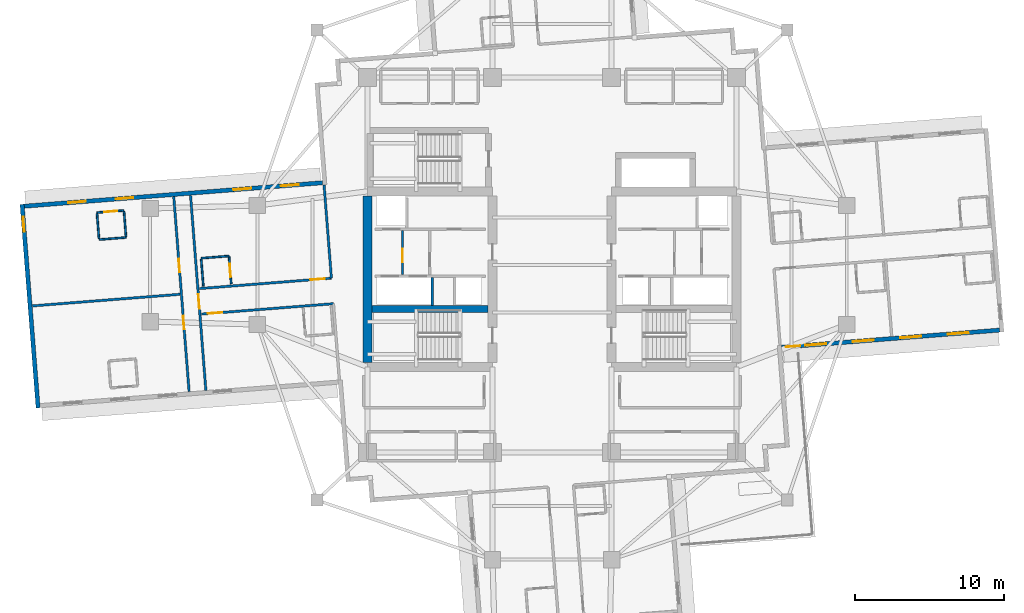
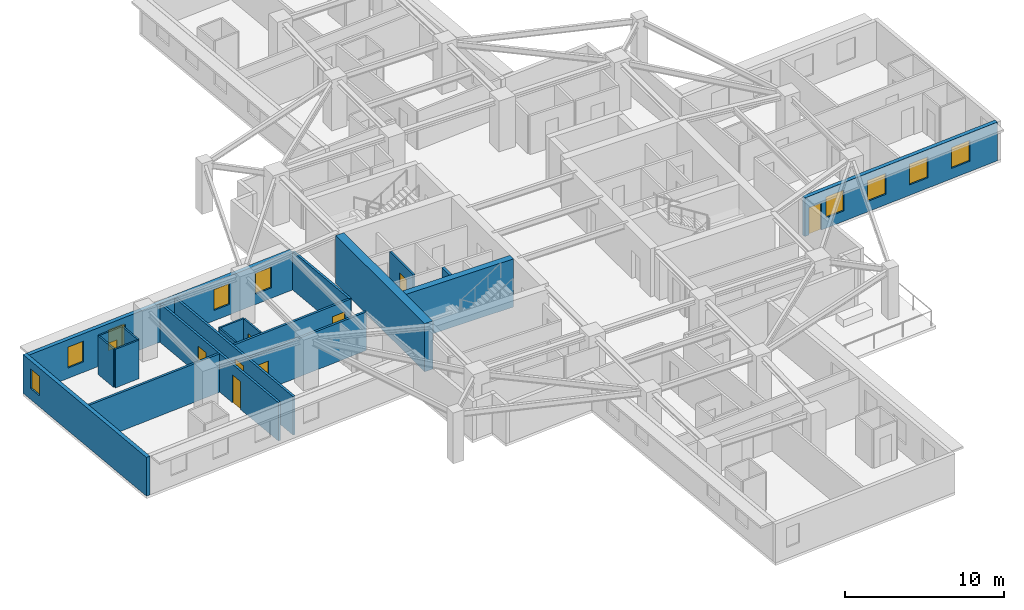
# One storey, part 5 of 14: 20 walls, 9 doors, 9 windows, 18 openings.
"""IFC4 building model written with IfcOpenShell, lengths in metres."""

from ifc_helpers import new_model, si_unit, direction, frame, frame_2d, origin, place, context, subcontext, project, spatial, rectangle, extrude, material, layer, layer_set, type_object, element, fill, save


model = new_model("IFC4")

# Units and contexts
model_context = context("Model", 3, precision=1e-05, world=origin(), true_north=direction((0.0, 1.0)))
body_context = subcontext(model_context, "Body", "Model", "MODEL_VIEW")
ifc_project = project(units=[si_unit("LENGTHUNIT", "METRE"), si_unit("AREAUNIT", "SQUARE_METRE"), si_unit("VOLUMEUNIT", "CUBIC_METRE"), si_unit("PLANEANGLEUNIT", "RADIAN"), si_unit("MASSUNIT", "GRAM", prefix="KILO")], contexts=[model_context])

# Site, building, storey
site_placement = place(None, origin())
site = spatial("IfcSite", under=ifc_project, at=site_placement, CompositionType="ELEMENT")
building_placement = place(site_placement, origin())
building = spatial("IfcBuilding", under=site, at=building_placement, Name="Qingluan Cross Belvedere", CompositionType="ELEMENT")
storey_placement = place(building_placement, frame((0.0, 0.0, 124.199951171875)))
storey = spatial("IfcBuildingStorey", under=building, at=storey_placement, Name="L31", CompositionType="ELEMENT", Elevation=124.199951171875)

# Walls
ifc_material_1 = material(Name="Concrete C50", Category="concrete")
ifc_layer_1 = layer(ifc_material_1, 0.449951171875, Name="CoreShearWall_450")
ifc_layer_set_1 = layer_set([ifc_layer_1], Name="Concrete C50")
wall_type_1 = type_object("IfcWallType", Name="CoreShearWall_450", PredefinedType="SHEAR", material=ifc_layer_set_1)
wall_1_placement = place(storey_placement, frame((-12.094970703125, -2.9599609375, 0.0), z_axis=(0.0, 0.0, 1.0), x_axis=(1.0, 0.0, 0.0)))
element("IfcWall", 1, at=wall_1_placement, inside=storey, type_object=wall_type_1, Name="Split core W shear wall L31-M", PredefinedType="SHEAR", context=body_context, shape_type="SweptSolid", body=[
    extrude(rectangle(XDim=7.7900390625, YDim=0.449951171875, at=frame_2d((3.89501953125, 0.0))), origin(), (0.0, 0.0, 1.0), 3.699951171875),
])
ifc_material_2 = material(Name="Concrete C60", Category="concrete")
ifc_layer_2 = layer(ifc_material_2, 0.60009765625, Name="CoreShearWall_600")
ifc_layer_set_2 = layer_set([ifc_layer_2], Name="Concrete C60")
wall_type_2 = type_object("IfcWallType", Name="CoreShearWall_600", PredefinedType="SHEAR", material=ifc_layer_set_2)
wall_2_placement = place(storey_placement, frame((-12.39990234375, -6.544921875, 0.0), z_axis=(0.0, 0.0, 1.0), x_axis=(0.0, 1.0, 0.0)))
element("IfcWall", 2, at=wall_2_placement, inside=storey, type_object=wall_type_2, Name="Split core W shear wall L31-W", PredefinedType="SHEAR", context=body_context, shape_type="SweptSolid", body=[
    extrude(rectangle(XDim=11.18994140625, YDim=0.60009765625, at=frame_2d((5.594970703125, 0.0))), origin(), (0.0, 0.0, 1.0), 3.699951171875),
])

# Wall, opening, door
ifc_material_3 = material(Name="Gypsum plasterboard on steel stud acoustic partition", Category="steel")
ifc_layer_3 = layer(ifc_material_3, 0.159912109375, Name="CorridorPartition_160")
ifc_layer_set_3 = layer_set([ifc_layer_3], Name="Gypsum plasterboard on steel stud acoustic partition")
wall_type_3 = type_object("IfcWallType", Name="CorridorPartition_160", PredefinedType="PARTITIONING", material=ifc_layer_set_3)
wall_3_placement = place(storey_placement, frame((-10.050048828125, -0.652099609375, 0.0), z_axis=(0.0, 0.0, 1.0), x_axis=(0.0, 1.0, 0.0)))
wall_3 = element("IfcWall", 3, at=wall_3_placement, inside=storey, type_object=wall_type_3, Name="Partition L31:wv", PredefinedType="PARTITIONING", context=body_context, shape_type="SweptSolid", body=[
    extrude(rectangle(XDim=2.962158203125, YDim=0.139892578125, at=frame_2d((1.48095703125, 0.0))), origin(), (0.0, 0.0, 1.0), 2.9599609375),
])
opening_1_placement = place(wall_3_placement, frame((0.85009765625, 0.0, 0.0)))
opening_1 = element("IfcOpeningElement", 4, at=opening_1_placement, cuts=wall_3, Name="Opening FD-B10", PredefinedType="OPENING", context=body_context, shape_type="SweptSolid", body=[
    extrude(rectangle(XDim=0.8798828125, YDim=2.10009765625, at=frame_2d((0.43994140625, 1.050048828125))), frame((0.0, 0.079833984375, 0.0), z_axis=(0.0, -1.0, 0.0), x_axis=(1.0, 0.0, 0.0)), (0.0, 0.0, 1.0), 0.159912109375),
])
ifc_material_4 = material(Name="Steel Class B service fire door", Category="steel")
door_type_1 = type_object("IfcDoorType", Name="RiserServiceFireDoor_FDB", OperationType="NOTDEFINED", PredefinedType="DOOR", material=ifc_material_4)
door_1_placement = place(opening_1_placement, origin())
door_1 = element("IfcDoor", 5, at=door_1_placement, inside=storey, type_object=door_type_1, Name="Service closet inner door L31", OperationType="SINGLE_SWING_RIGHT", OverallHeight=2.10009765625, OverallWidth=0.8798828125, PredefinedType="DOOR", context=body_context, shape_type="SweptSolid", body=[
    extrude(rectangle(XDim=0.8798828125, YDim=2.10009765625, at=frame_2d((0.43994140625, 1.050048828125))), frame((0.0, 0.02490234375, 0.0), z_axis=(0.0, -1.0, 0.0), x_axis=(1.0, 0.0, 0.0)), (0.0, 0.0, 1.0), 0.050048828125),
])
fill(opening_1, door_1)

wall_4_placement = place(storey_placement, frame((-14.826171875, -0.885986328125, 0.0), z_axis=(0.0, 0.0, 1.0), x_axis=(-0.996917714418, -0.078454258523, 0.0)))
wall_4 = element("IfcWall", 6, at=wall_4_placement, inside=storey, type_object=wall_type_3, Name="Partition L31:W:c0", PredefinedType="PARTITIONING", context=body_context, shape_type="SweptSolid", body=[
    extrude(rectangle(XDim=8.89990234375, YDim=0.159912109375, at=frame_2d((4.449951171875, 0.0))), origin(), (0.0, 0.0, 1.0), 2.9599609375),
])
opening_2_placement = place(wall_4_placement, frame((0.449951171875, 0.0, 0.0)))
opening_2 = element("IfcOpeningElement", 7, at=opening_2_placement, cuts=wall_4, Name="Opening GD-10", PredefinedType="OPENING", context=body_context, shape_type="SweptSolid", body=[
    extrude(rectangle(XDim=0.9599609375, YDim=2.14990234375, at=frame_2d((0.47998046875, 1.074951171875))), frame((0.0, 0.08984375, 0.0), z_axis=(0.0, -1.0, 0.0), x_axis=(1.0, 0.0, 0.0)), (0.0, 0.0, 1.0), 0.179931640625),
])
ifc_material_5 = material(Name="Timber oak fire-rated acoustic guestroom door", Category="wood")
door_type_2 = type_object("IfcDoorType", Name="GuestEntryDoor_FD60", OperationType="NOTDEFINED", PredefinedType="DOOR", material=ifc_material_5)
door_2_placement = place(opening_2_placement, origin())
door_2 = element("IfcDoor", 8, at=door_2_placement, inside=storey, type_object=door_type_2, Name="Guest entry fire door 3105", OperationType="SINGLE_SWING_RIGHT", OverallHeight=2.14990234375, OverallWidth=0.9599609375, PredefinedType="DOOR", context=body_context, shape_type="SweptSolid", body=[
    extrude(rectangle(XDim=0.9599609375, YDim=2.14990234375, at=frame_2d((0.47998046875, 1.074951171875))), frame((0.0, 0.02490234375, 0.0), z_axis=(0.0, -1.0, 0.0), x_axis=(1.0, 0.0, 0.0)), (0.0, 0.0, 1.0), 0.050048828125),
])
fill(opening_2, door_2)

# Wall
wall_5_placement = place(storey_placement, frame((-14.826171875, -0.885986328125, 0.0), z_axis=(0.0, 0.0, 1.0), x_axis=(-0.078455896853, 0.996917585485, 0.0)))
element("IfcWall", 9, at=wall_5_placement, inside=storey, type_object=wall_type_3, Name="Partition L31:W:s0", PredefinedType="PARTITIONING", context=body_context, shape_type="SweptSolid", body=[
    extrude(rectangle(XDim=6.2919921875, YDim=0.159912109375, at=frame_2d((3.14599609375, 0.0))), origin(), (0.0, 0.0, 1.0), 2.9599609375),
])

# Wall, opening, door
wall_6_placement = place(storey_placement, frame((-14.691162109375, -2.6005859375, 0.0), z_axis=(0.0, 0.0, 1.0), x_axis=(-0.99691556856, -0.07848152115, 0.0)))
wall_6 = element("IfcWall", 10, at=wall_6_placement, inside=storey, type_object=wall_type_3, Name="Partition L31:W:c1", PredefinedType="PARTITIONING", context=body_context, shape_type="SweptSolid", body=[
    extrude(rectangle(XDim=8.89990234375, YDim=0.159912109375, at=frame_2d((4.449951171875, 0.0))), origin(), (0.0, 0.0, 1.0), 2.9599609375),
])
opening_3_placement = place(wall_6_placement, frame((7.5, 0.0, 0.0)))
opening_3 = element("IfcOpeningElement", 11, at=opening_3_placement, cuts=wall_6, Name="Opening GD-10", PredefinedType="OPENING", context=body_context, shape_type="SweptSolid", body=[
    extrude(rectangle(XDim=0.9599609375, YDim=2.14990234375, at=frame_2d((0.47998046875, 1.074951171875))), frame((0.0, 0.08984375, 0.0), z_axis=(0.0, -1.0, 0.0), x_axis=(1.0, 0.0, 0.0)), (0.0, 0.0, 1.0), 0.179931640625),
])
door_3_placement = place(opening_3_placement, origin())
door_3 = element("IfcDoor", 12, at=door_3_placement, inside=storey, type_object=door_type_2, Name="Guest entry fire door 3106", OperationType="SINGLE_SWING_RIGHT", OverallHeight=2.14990234375, OverallWidth=0.9599609375, PredefinedType="DOOR", context=body_context, shape_type="SweptSolid", body=[
    extrude(rectangle(XDim=0.9599609375, YDim=2.14990234375, at=frame_2d((0.47998046875, 1.074951171875))), frame((0.0, 0.02490234375, 0.0), z_axis=(0.0, -1.0, 0.0), x_axis=(1.0, 0.0, 0.0)), (0.0, 0.0, 1.0), 0.050048828125),
])
fill(opening_3, door_3)

wall_7_placement = place(storey_placement, frame((-23.2607421875, -8.423095703125, 0.0), z_axis=(0.0, 0.0, 1.0), x_axis=(-0.078457655694, 0.996917447065, 0.0)))
wall_7 = element("IfcWall", 13, at=wall_7_placement, inside=storey, type_object=wall_type_3, Name="Partition L31:Wcap:in", PredefinedType="PARTITIONING", context=body_context, shape_type="SweptSolid", body=[
    extrude(rectangle(XDim=13.14404296875, YDim=0.159912109375, at=frame_2d((6.572021484375, 0.0))), origin(), (0.0, 0.0, 1.0), 2.9599609375),
])
opening_4_placement = place(wall_7_placement, frame((5.511962890625, 0.0, 0.0)))
opening_4 = element("IfcOpeningElement", 14, at=opening_4_placement, cuts=wall_7, Name="Opening GD-10", PredefinedType="OPENING", context=body_context, shape_type="SweptSolid", body=[
    extrude(rectangle(XDim=0.9599609375, YDim=2.14990234375, at=frame_2d((0.47998046875, 1.074951171875))), frame((0.0, 0.08984375, 0.0), z_axis=(0.0, -1.0, 0.0), x_axis=(1.0, 0.0, 0.0)), (0.0, 0.0, 1.0), 0.179931640625),
])
door_4_placement = place(opening_4_placement, origin())
door_4 = element("IfcDoor", 15, at=door_4_placement, inside=storey, type_object=door_type_2, Name="Corner gallery fire door L31W", OperationType="SINGLE_SWING_LEFT", OverallHeight=2.14990234375, OverallWidth=0.9599609375, PredefinedType="DOOR", context=body_context, shape_type="SweptSolid", body=[
    extrude(rectangle(XDim=0.9599609375, YDim=2.14990234375, at=frame_2d((0.47998046875, 1.074951171875))), frame((0.0, 0.02490234375, 0.0), z_axis=(0.0, -1.0, 0.0), x_axis=(1.0, 0.0, 0.0)), (0.0, 0.0, 1.0), 0.050048828125),
])
fill(opening_4, door_4)

# Wall, openings, doors
wall_8_placement = place(storey_placement, frame((-24.38720703125, -8.51171875, 0.0), z_axis=(0.0, 0.0, 1.0), x_axis=(-0.078476115573, 0.996915994096, 0.0)))
wall_8 = element("IfcWall", 16, at=wall_8_placement, inside=storey, type_object=wall_type_3, Name="Partition L31:Wcap:vw", PredefinedType="PARTITIONING", context=body_context, shape_type="SweptSolid", body=[
    extrude(rectangle(XDim=13.14404296875, YDim=0.159912109375, at=frame_2d((6.572021484375, 0.0))), origin(), (0.0, 0.0, 1.0), 2.9599609375),
])
opening_5_placement = place(wall_8_placement, frame((4.201904296875, 0.0, 0.0)))
opening_5 = element("IfcOpeningElement", 17, at=opening_5_placement, cuts=wall_8, Name="Opening GD-09", PredefinedType="OPENING", context=body_context, shape_type="SweptSolid", body=[
    extrude(rectangle(XDim=0.89990234375, YDim=2.14990234375, at=frame_2d((0.449951171875, 1.074951171875))), frame((0.0, 0.08984375, 0.0), z_axis=(0.0, -1.0, 0.0), x_axis=(1.0, 0.0, 0.0)), (0.0, 0.0, 1.0), 0.179931640625),
])
opening_6_placement = place(wall_8_placement, frame((8.0419921875, 0.0, 0.0)))
opening_6 = element("IfcOpeningElement", 18, at=opening_6_placement, cuts=wall_8, Name="Opening GD-09", PredefinedType="OPENING", context=body_context, shape_type="SweptSolid", body=[
    extrude(rectangle(XDim=0.89990234375, YDim=2.14990234375, at=frame_2d((0.449951171875, 1.074951171875))), frame((0.0, 0.08984375, 0.0), z_axis=(0.0, -1.0, 0.0), x_axis=(1.0, 0.0, 0.0)), (0.0, 0.0, 1.0), 0.179931640625),
])
ifc_material_6 = material(Name="Timber oak fire-rated corner room door", Category="wood")
door_type_3 = type_object("IfcDoorType", Name="CornerRoomDoor_FD60", OperationType="NOTDEFINED", PredefinedType="DOOR", material=ifc_material_6)
door_5_placement = place(opening_5_placement, origin())
door_5 = element("IfcDoor", 19, at=door_5_placement, inside=storey, type_object=door_type_3, Name="Deluxe corner room door L31W1", OperationType="SINGLE_SWING_RIGHT", OverallHeight=2.14990234375, OverallWidth=0.89990234375, PredefinedType="DOOR", context=body_context, shape_type="SweptSolid", body=[
    extrude(rectangle(XDim=0.89990234375, YDim=2.14990234375, at=frame_2d((0.449951171875, 1.074951171875))), frame((0.0, 0.02490234375, 0.0), z_axis=(0.0, -1.0, 0.0), x_axis=(1.0, 0.0, 0.0)), (0.0, 0.0, 1.0), 0.050048828125),
])
fill(opening_5, door_5)
door_6_placement = place(opening_6_placement, origin())
door_6 = element("IfcDoor", 20, at=door_6_placement, inside=storey, type_object=door_type_3, Name="Deluxe corner room door L31W2", OperationType="SINGLE_SWING_LEFT", OverallHeight=2.14990234375, OverallWidth=0.89990234375, PredefinedType="DOOR", context=body_context, shape_type="SweptSolid", body=[
    extrude(rectangle(XDim=0.89990234375, YDim=2.14990234375, at=frame_2d((0.449951171875, 1.074951171875))), frame((0.0, 0.02490234375, 0.0), z_axis=(0.0, -1.0, 0.0), x_axis=(1.0, 0.0, 0.0)), (0.0, 0.0, 1.0), 0.050048828125),
])
fill(opening_6, door_6)

# Wall
wall_9_placement = place(storey_placement, frame((-24.99267578125, -1.967041015625, 0.0), z_axis=(0.0, 0.0, 1.0), x_axis=(-0.996918304994, -0.078446753713, 0.0)))
element("IfcWall", 21, at=wall_9_placement, inside=storey, type_object=wall_type_3, Name="Partition L31:Wcap:mid", PredefinedType="PARTITIONING", context=body_context, shape_type="SweptSolid", body=[
    extrude(rectangle(XDim=9.962158203125, YDim=0.159912109375, at=frame_2d((4.98095703125, 0.0))), origin(), (0.0, 0.0, 1.0), 2.9599609375),
])

# Wall, opening, door
ifc_material_7 = material(Name="Moisture-resistant gypsum board lining")
ifc_layer_4 = layer(ifc_material_7, 0.1201171875, Name="EnsuiteWetPartition_120")
ifc_layer_set_4 = layer_set([ifc_layer_4], Name="Moisture-resistant gypsum board lining")
wall_type_4 = type_object("IfcWallType", Name="EnsuiteWetPartition_120", PredefinedType="PARTITIONING", material=ifc_layer_set_4)
wall_10_placement = place(storey_placement, frame((-21.556396484375, -1.275146484375, 0.0), z_axis=(0.0, 0.0, 1.0), x_axis=(-0.0784709492, 0.996916400774, 0.0)))
wall_10 = element("IfcWall", 22, at=wall_10_placement, inside=storey, type_object=wall_type_4, Name="Partition L31:W:bs0_0", PredefinedType="PARTITIONING", context=body_context, shape_type="SweptSolid", body=[
    extrude(rectangle(XDim=1.820068359375, YDim=0.1201171875, at=frame_2d((0.91015625, 0.0))), origin(), (0.0, 0.0, 1.0), 2.9599609375),
])
opening_7_placement = place(wall_10_placement, frame((0.469970703125, 0.0, 0.0)))
opening_7 = element("IfcOpeningElement", 23, at=opening_7_placement, cuts=wall_10, Name="Opening BD-09", PredefinedType="OPENING", context=body_context, shape_type="SweptSolid", body=[
    extrude(rectangle(XDim=0.8798828125, YDim=2.10009765625, at=frame_2d((0.43994140625, 1.050048828125))), frame((0.0, 0.070068359375, 0.0), z_axis=(0.0, -1.0, 0.0), x_axis=(1.0, 0.0, 0.0)), (0.0, 0.0, 1.0), 0.14013671875),
])
ifc_material_8 = material(Name="Moisture-sealed timber en-suite door", Category="wood")
door_type_4 = type_object("IfcDoorType", Name="BathroomDoor_880", OperationType="NOTDEFINED", PredefinedType="DOOR", material=ifc_material_8)
door_7_placement = place(opening_7_placement, origin())
door_7 = element("IfcDoor", 24, at=door_7_placement, inside=storey, type_object=door_type_4, Name="Bathroom door 3105", OperationType="SINGLE_SWING_LEFT", OverallHeight=2.10009765625, OverallWidth=0.8798828125, PredefinedType="DOOR", context=body_context, shape_type="SweptSolid", body=[
    extrude(rectangle(XDim=0.8798828125, YDim=2.10009765625, at=frame_2d((0.43994140625, 1.050048828125))), frame((0.0, 0.02490234375, 0.0), z_axis=(0.0, -1.0, 0.0), x_axis=(1.0, 0.0, 0.0)), (0.0, 0.0, 1.0), 0.050048828125),
])
fill(opening_7, door_7)

# Walls
wall_11_placement = place(storey_placement, frame((-23.4306640625, -1.422607421875, 0.0), z_axis=(0.0, 0.0, 1.0), x_axis=(-0.078481444107, 0.996915574626, 0.0)))
element("IfcWall", 25, at=wall_11_placement, inside=storey, type_object=wall_type_4, Name="Partition L31:W:bw0_0", PredefinedType="PARTITIONING", context=body_context, shape_type="SweptSolid", body=[
    extrude(rectangle(XDim=1.81982421875, YDim=0.1201171875, at=frame_2d((0.909912109375, 0.0))), origin(), (0.0, 0.0, 1.0), 2.9599609375),
])
wall_12_placement = place(storey_placement, frame((-21.704345703125, 0.60400390625, 0.0), z_axis=(0.0, 0.0, 1.0), x_axis=(-0.996919293781, -0.07843418698, 0.0)))
element("IfcWall", 26, at=wall_12_placement, inside=storey, type_object=wall_type_4, Name="Partition L31:W:bn0_0", PredefinedType="PARTITIONING", context=body_context, shape_type="SweptSolid", body=[
    extrude(rectangle(XDim=1.880126953125, YDim=0.1201171875, at=frame_2d((0.93994140625, 0.0))), origin(), (0.0, 0.0, 1.0), 2.9599609375),
])
wall_13_placement = place(storey_placement, frame((-28.628173828125, 1.909912109375, 0.0), z_axis=(0.0, 0.0, 1.0), x_axis=(-0.078420762289, 0.996920349899, 0.0)))
element("IfcWall", 27, at=wall_13_placement, inside=storey, type_object=wall_type_4, Name="Partition L31:Wcap:b2a", PredefinedType="PARTITIONING", context=body_context, shape_type="SweptSolid", body=[
    extrude(rectangle(XDim=1.69970703125, YDim=0.1201171875, at=frame_2d((0.849853515625, 0.0))), origin(), (0.0, 0.0, 1.0), 2.9599609375),
])
wall_14_placement = place(storey_placement, frame((-30.4423828125, 1.76708984375, 0.0), z_axis=(0.0, 0.0, 1.0), x_axis=(-0.078563504361, 0.996909111094, 0.0)))
element("IfcWall", 28, at=wall_14_placement, inside=storey, type_object=wall_type_4, Name="Partition L31:Wcap:b2b", PredefinedType="PARTITIONING", context=body_context, shape_type="SweptSolid", body=[
    extrude(rectangle(XDim=1.699951171875, YDim=0.1201171875, at=frame_2d((0.85009765625, 0.0))), origin(), (0.0, 0.0, 1.0), 2.9599609375),
])
wall_15_placement = place(storey_placement, frame((-28.623291015625, 1.849853515625, 0.0), z_axis=(0.0, 0.0, 1.0), x_axis=(-0.996916400774, -0.0784709492, 0.0)))
element("IfcWall", 29, at=wall_15_placement, inside=storey, type_object=wall_type_4, Name="Partition L31:Wcap:b2s", PredefinedType="PARTITIONING", context=body_context, shape_type="SweptSolid", body=[
    extrude(rectangle(XDim=1.820068359375, YDim=0.1201171875, at=frame_2d((0.91015625, 0.0))), origin(), (0.0, 0.0, 1.0), 2.9599609375),
])

# Wall, opening, door
wall_16_placement = place(storey_placement, frame((-28.76611328125, 3.664306640625, 0.0), z_axis=(0.0, 0.0, 1.0), x_axis=(-0.996916400774, -0.0784709492, 0.0)))
wall_16 = element("IfcWall", 30, at=wall_16_placement, inside=storey, type_object=wall_type_4, Name="Partition L31:Wcap:b2n", PredefinedType="PARTITIONING", context=body_context, shape_type="SweptSolid", body=[
    extrude(rectangle(XDim=1.820068359375, YDim=0.1201171875, at=frame_2d((0.91015625, 0.0))), origin(), (0.0, 0.0, 1.0), 2.9599609375),
])
opening_8_placement = place(wall_16_placement, frame((0.449951171875, 0.0, 0.0)))
opening_8 = element("IfcOpeningElement", 31, at=opening_8_placement, cuts=wall_16, Name="Opening BD-09", PredefinedType="OPENING", context=body_context, shape_type="SweptSolid", body=[
    extrude(rectangle(XDim=0.8798828125, YDim=2.10009765625, at=frame_2d((0.43994140625, 1.050048828125))), frame((0.0, 0.070068359375, 0.0), z_axis=(0.0, -1.0, 0.0), x_axis=(1.0, 0.0, 0.0)), (0.0, 0.0, 1.0), 0.14013671875),
])
door_8_placement = place(opening_8_placement, origin())
door_8 = element("IfcDoor", 32, at=door_8_placement, inside=storey, type_object=door_type_4, Name="En-suite bathroom door L31W2", OperationType="SINGLE_SWING_RIGHT", OverallHeight=2.10009765625, OverallWidth=0.8798828125, PredefinedType="DOOR", context=body_context, shape_type="SweptSolid", body=[
    extrude(rectangle(XDim=0.8798828125, YDim=2.10009765625, at=frame_2d((0.43994140625, 1.050048828125))), frame((0.0, 0.02490234375, 0.0), z_axis=(0.0, -1.0, 0.0), x_axis=(1.0, 0.0, 0.0)), (0.0, 0.0, 1.0), 0.050048828125),
])
fill(opening_8, door_8)

# Wall, openings, windows, door
ifc_material_9 = material(Name="Precast concrete C45", Category="concrete")
ifc_layer_5 = layer(ifc_material_9, 0.280029296875, Name="PrecastFacadeWall_280")
ifc_layer_set_5 = layer_set([ifc_layer_5], Name="Precast concrete C45")
wall_type_5 = type_object("IfcWallType", Name="PrecastFacadeWall_280", PredefinedType="STANDARD", material=ifc_layer_set_5)
wall_17_placement = place(storey_placement, frame((15.421142578125, -5.527099609375, 0.0), z_axis=(0.0, 0.0, 1.0), x_axis=(0.996917526837, 0.078456642068, 0.0)))
wall_17 = element("IfcWall", 33, at=wall_17_placement, inside=storey, type_object=wall_type_5, Name="Facade wall L31-EA", PredefinedType="STANDARD", context=body_context, shape_type="SweptSolid", body=[
    extrude(rectangle(XDim=14.7001953125, YDim=0.280029296875, at=frame_2d((7.35009765625, 0.0))), origin(), (0.0, 0.0, 1.0), 2.969970703125),
])
opening_9_placement = place(wall_17_placement, frame((1.60009765625, 0.0, 0.800048828125)))
opening_9 = element("IfcOpeningElement", 34, at=opening_9_placement, cuts=wall_17, Name="Opening W-01", PredefinedType="OPENING", context=body_context, shape_type="SweptSolid", body=[
    extrude(rectangle(XDim=1.39990234375, YDim=1.60009765625, at=frame_2d((0.699951171875, 0.800048828125))), frame((0.0, 0.14990234375, 0.0), z_axis=(0.0, -1.0, 0.0), x_axis=(1.0, 0.0, 0.0)), (0.0, 0.0, 1.0), 0.300048828125),
])
opening_10_placement = place(wall_17_placement, frame((4.800048828125, 0.0, 0.800048828125)))
opening_10 = element("IfcOpeningElement", 35, at=opening_10_placement, cuts=wall_17, Name="Opening W-01", PredefinedType="OPENING", context=body_context, shape_type="SweptSolid", body=[
    extrude(rectangle(XDim=1.39990234375, YDim=1.60009765625, at=frame_2d((0.699951171875, 0.800048828125))), frame((0.0, 0.14990234375, 0.0), z_axis=(0.0, -1.0, 0.0), x_axis=(1.0, 0.0, 0.0)), (0.0, 0.0, 1.0), 0.300048828125),
])
opening_11_placement = place(wall_17_placement, frame((8.0, 0.0, 0.800048828125)))
opening_11 = element("IfcOpeningElement", 36, at=opening_11_placement, cuts=wall_17, Name="Opening W-01", PredefinedType="OPENING", context=body_context, shape_type="SweptSolid", body=[
    extrude(rectangle(XDim=1.39990234375, YDim=1.60009765625, at=frame_2d((0.699951171875, 0.800048828125))), frame((0.0, 0.14990234375, 0.0), z_axis=(0.0, -1.0, 0.0), x_axis=(1.0, 0.0, 0.0)), (0.0, 0.0, 1.0), 0.300048828125),
])
opening_12_placement = place(wall_17_placement, frame((11.199951171875, 0.0, 0.800048828125)))
opening_12 = element("IfcOpeningElement", 37, at=opening_12_placement, cuts=wall_17, Name="Opening W-01", PredefinedType="OPENING", context=body_context, shape_type="SweptSolid", body=[
    extrude(rectangle(XDim=1.39990234375, YDim=1.60009765625, at=frame_2d((0.699951171875, 0.800048828125))), frame((0.0, 0.14990234375, 0.0), z_axis=(0.0, -1.0, 0.0), x_axis=(1.0, 0.0, 0.0)), (0.0, 0.0, 1.0), 0.300048828125),
])
opening_13_placement = place(wall_17_placement, frame((0.300048828125, 0.0, 0.0)))
opening_13 = element("IfcOpeningElement", 38, at=opening_13_placement, cuts=wall_17, Name="Opening WD-10", PredefinedType="OPENING", context=body_context, shape_type="SweptSolid", body=[
    extrude(rectangle(XDim=0.9599609375, YDim=2.10009765625, at=frame_2d((0.47998046875, 1.050048828125))), frame((0.0, 0.14990234375, 0.0), z_axis=(0.0, -1.0, 0.0), x_axis=(1.0, 0.0, 0.0)), (0.0, 0.0, 1.0), 0.300048828125),
])
ifc_material_10 = material(Name="Thermally broken triple Low-E glass in aluminium frame", Category="aluminium")
window_type_1 = type_object("IfcWindowType", Name="TriRibbonWin_1400x1600", PartitioningType="SINGLE_PANEL", PredefinedType="WINDOW", material=ifc_material_10)
window_1_placement = place(opening_9_placement, origin())
window_1 = element("IfcWindow", 39, at=window_1_placement, inside=storey, type_object=window_type_1, Name="Ribbon window L31-EA-1", OverallHeight=1.60009765625, OverallWidth=1.39990234375, PartitioningType="SINGLE_PANEL", PredefinedType="WINDOW", context=body_context, shape_type="SweptSolid", body=[
    extrude(rectangle(XDim=1.39990234375, YDim=1.60009765625, at=frame_2d((0.699951171875, 0.800048828125))), frame((0.0, 0.030029296875, 0.0), z_axis=(0.0, -1.0, 0.0), x_axis=(1.0, 0.0, 0.0)), (0.0, 0.0, 1.0), 0.06005859375),
])
fill(opening_9, window_1)
window_2_placement = place(opening_10_placement, origin())
window_2 = element("IfcWindow", 40, at=window_2_placement, inside=storey, type_object=window_type_1, Name="Ribbon window L31-EA-2", OverallHeight=1.60009765625, OverallWidth=1.39990234375, PartitioningType="SINGLE_PANEL", PredefinedType="WINDOW", context=body_context, shape_type="SweptSolid", body=[
    extrude(rectangle(XDim=1.39990234375, YDim=1.60009765625, at=frame_2d((0.699951171875, 0.800048828125))), frame((0.0, 0.030029296875, 0.0), z_axis=(0.0, -1.0, 0.0), x_axis=(1.0, 0.0, 0.0)), (0.0, 0.0, 1.0), 0.06005859375),
])
fill(opening_10, window_2)
window_3_placement = place(opening_11_placement, origin())
window_3 = element("IfcWindow", 41, at=window_3_placement, inside=storey, type_object=window_type_1, Name="Ribbon window L31-EA-3", OverallHeight=1.60009765625, OverallWidth=1.39990234375, PartitioningType="SINGLE_PANEL", PredefinedType="WINDOW", context=body_context, shape_type="SweptSolid", body=[
    extrude(rectangle(XDim=1.39990234375, YDim=1.60009765625, at=frame_2d((0.699951171875, 0.800048828125))), frame((0.0, 0.030029296875, 0.0), z_axis=(0.0, -1.0, 0.0), x_axis=(1.0, 0.0, 0.0)), (0.0, 0.0, 1.0), 0.06005859375),
])
fill(opening_11, window_3)
window_4_placement = place(opening_12_placement, origin())
window_4 = element("IfcWindow", 42, at=window_4_placement, inside=storey, type_object=window_type_1, Name="Ribbon window L31-EA-4", OverallHeight=1.60009765625, OverallWidth=1.39990234375, PartitioningType="SINGLE_PANEL", PredefinedType="WINDOW", context=body_context, shape_type="SweptSolid", body=[
    extrude(rectangle(XDim=1.39990234375, YDim=1.60009765625, at=frame_2d((0.699951171875, 0.800048828125))), frame((0.0, 0.030029296875, 0.0), z_axis=(0.0, -1.0, 0.0), x_axis=(1.0, 0.0, 0.0)), (0.0, 0.0, 1.0), 0.06005859375),
])
fill(opening_12, window_4)
ifc_material_11 = material(Name="Thermally broken aluminium and Low-E glass", Category="aluminium")
door_type_5 = type_object("IfcDoorType", Name="WinterGardenDoor_096", OperationType="NOTDEFINED", PredefinedType="DOOR", material=ifc_material_11)
door_9_placement = place(opening_13_placement, origin())
door_9 = element("IfcDoor", 43, at=door_9_placement, inside=storey, type_object=door_type_5, Name="Outdoor terrace access door L31-spi", OperationType="SINGLE_SWING_LEFT", OverallHeight=2.10009765625, OverallWidth=0.9599609375, PredefinedType="DOOR", context=body_context, shape_type="SweptSolid", body=[
    extrude(rectangle(XDim=0.9599609375, YDim=2.10009765625, at=frame_2d((0.47998046875, 1.050048828125))), frame((0.0, 0.02490234375, 0.0), z_axis=(0.0, -1.0, 0.0), x_axis=(1.0, 0.0, 0.0)), (0.0, 0.0, 1.0), 0.050048828125),
])
fill(opening_13, door_9)

# Wall, openings, windows
wall_18_placement = place(storey_placement, frame((-15.421142578125, 5.527099609375, 0.0), z_axis=(0.0, 0.0, 1.0), x_axis=(-0.996917828963, -0.078452802979, 0.0)))
wall_18 = element("IfcWall", 44, at=wall_18_placement, inside=storey, type_object=wall_type_5, Name="Facade wall L31-WA", PredefinedType="STANDARD", context=body_context, shape_type="SweptSolid", body=[
    extrude(rectangle(XDim=20.10009765625, YDim=0.280029296875, at=frame_2d((10.050048828125, 0.0))), origin(), (0.0, 0.0, 1.0), 2.969970703125),
])
opening_14_placement = place(wall_18_placement, frame((1.60009765625, 0.0, 0.800048828125)))
opening_14 = element("IfcOpeningElement", 45, at=opening_14_placement, cuts=wall_18, Name="Opening W-02", PredefinedType="OPENING", context=body_context, shape_type="SweptSolid", body=[
    extrude(rectangle(XDim=1.199951171875, YDim=1.60009765625, at=frame_2d((0.60009765625, 0.800048828125))), frame((0.0, 0.14990234375, 0.0), z_axis=(0.0, -1.0, 0.0), x_axis=(1.0, 0.0, 0.0)), (0.0, 0.0, 1.0), 0.300048828125),
])
opening_15_placement = place(wall_18_placement, frame((4.800048828125, 0.0, 0.800048828125)))
opening_15 = element("IfcOpeningElement", 46, at=opening_15_placement, cuts=wall_18, Name="Opening W-02", PredefinedType="OPENING", context=body_context, shape_type="SweptSolid", body=[
    extrude(rectangle(XDim=1.199951171875, YDim=1.60009765625, at=frame_2d((0.60009765625, 0.800048828125))), frame((0.0, 0.14990234375, 0.0), z_axis=(0.0, -1.0, 0.0), x_axis=(1.0, 0.0, 0.0)), (0.0, 0.0, 1.0), 0.300048828125),
])
opening_16_placement = place(wall_18_placement, frame((12.75, 0.0, 0.800048828125)))
opening_16 = element("IfcOpeningElement", 47, at=opening_16_placement, cuts=wall_18, Name="Opening W-02", PredefinedType="OPENING", context=body_context, shape_type="SweptSolid", body=[
    extrude(rectangle(XDim=1.199951171875, YDim=1.60009765625, at=frame_2d((0.60009765625, 0.800048828125))), frame((0.0, 0.14990234375, 0.0), z_axis=(0.0, -1.0, 0.0), x_axis=(1.0, 0.0, 0.0)), (0.0, 0.0, 1.0), 0.300048828125),
])
opening_17_placement = place(wall_18_placement, frame((15.949951171875, 0.0, 0.800048828125)))
opening_17 = element("IfcOpeningElement", 48, at=opening_17_placement, cuts=wall_18, Name="Opening W-02", PredefinedType="OPENING", context=body_context, shape_type="SweptSolid", body=[
    extrude(rectangle(XDim=1.199951171875, YDim=1.60009765625, at=frame_2d((0.60009765625, 0.800048828125))), frame((0.0, 0.14990234375, 0.0), z_axis=(0.0, -1.0, 0.0), x_axis=(1.0, 0.0, 0.0)), (0.0, 0.0, 1.0), 0.300048828125),
])
ifc_material_12 = material(Name="Thermally broken triple Low-E glass in aluminium frame", Category="aluminium")
window_type_2 = type_object("IfcWindowType", Name="TriRibbonWin_1200x1600", PartitioningType="SINGLE_PANEL", PredefinedType="WINDOW", material=ifc_material_12)
window_5_placement = place(opening_14_placement, origin())
window_5 = element("IfcWindow", 49, at=window_5_placement, inside=storey, type_object=window_type_2, Name="Ribbon window L31-WA-1", OverallHeight=1.60009765625, OverallWidth=1.199951171875, PartitioningType="SINGLE_PANEL", PredefinedType="WINDOW", context=body_context, shape_type="SweptSolid", body=[
    extrude(rectangle(XDim=1.199951171875, YDim=1.60009765625, at=frame_2d((0.60009765625, 0.800048828125))), frame((0.0, 0.030029296875, 0.0), z_axis=(0.0, -1.0, 0.0), x_axis=(1.0, 0.0, 0.0)), (0.0, 0.0, 1.0), 0.06005859375),
])
fill(opening_14, window_5)
window_6_placement = place(opening_15_placement, origin())
window_6 = element("IfcWindow", 50, at=window_6_placement, inside=storey, type_object=window_type_2, Name="Ribbon window L31-WA-2", OverallHeight=1.60009765625, OverallWidth=1.199951171875, PartitioningType="SINGLE_PANEL", PredefinedType="WINDOW", context=body_context, shape_type="SweptSolid", body=[
    extrude(rectangle(XDim=1.199951171875, YDim=1.60009765625, at=frame_2d((0.60009765625, 0.800048828125))), frame((0.0, 0.030029296875, 0.0), z_axis=(0.0, -1.0, 0.0), x_axis=(1.0, 0.0, 0.0)), (0.0, 0.0, 1.0), 0.06005859375),
])
fill(opening_15, window_6)
window_7_placement = place(opening_16_placement, origin())
window_7 = element("IfcWindow", 51, at=window_7_placement, inside=storey, type_object=window_type_2, Name="Ribbon window L31-WA-3", OverallHeight=1.60009765625, OverallWidth=1.199951171875, PartitioningType="SINGLE_PANEL", PredefinedType="WINDOW", context=body_context, shape_type="SweptSolid", body=[
    extrude(rectangle(XDim=1.199951171875, YDim=1.60009765625, at=frame_2d((0.60009765625, 0.800048828125))), frame((0.0, 0.030029296875, 0.0), z_axis=(0.0, -1.0, 0.0), x_axis=(1.0, 0.0, 0.0)), (0.0, 0.0, 1.0), 0.06005859375),
])
fill(opening_16, window_7)
window_8_placement = place(opening_17_placement, origin())
window_8 = element("IfcWindow", 52, at=window_8_placement, inside=storey, type_object=window_type_2, Name="Ribbon window L31-WA-4", OverallHeight=1.60009765625, OverallWidth=1.199951171875, PartitioningType="SINGLE_PANEL", PredefinedType="WINDOW", context=body_context, shape_type="SweptSolid", body=[
    extrude(rectangle(XDim=1.199951171875, YDim=1.60009765625, at=frame_2d((0.60009765625, 0.800048828125))), frame((0.0, 0.030029296875, 0.0), z_axis=(0.0, -1.0, 0.0), x_axis=(1.0, 0.0, 0.0)), (0.0, 0.0, 1.0), 0.06005859375),
])
fill(opening_17, window_8)

# Wall, opening, window
wall_19_placement = place(storey_placement, frame((-35.60986328125, 4.07861328125, 0.0), z_axis=(0.0, 0.0, 1.0), x_axis=(0.078473519122, -0.996916198482, 0.0)))
wall_19 = element("IfcWall", 53, at=wall_19_placement, inside=storey, type_object=wall_type_5, Name="Arm tip precast facade wall L31-W", PredefinedType="STANDARD", context=body_context, shape_type="SweptSolid", body=[
    extrude(rectangle(XDim=13.719970703125, YDim=0.280029296875, at=frame_2d((6.85986328125, 0.0))), origin(), (0.0, 0.0, 1.0), 2.969970703125),
])
opening_18_placement = place(wall_19_placement, frame((0.85009765625, 0.0, 0.85009765625)))
opening_18 = element("IfcOpeningElement", 54, at=opening_18_placement, cuts=wall_19, Name="Opening W-03", PredefinedType="OPENING", context=body_context, shape_type="SweptSolid", body=[
    extrude(rectangle(XDim=1.0, YDim=1.5, at=frame_2d((0.5, 0.75))), frame((0.0, 0.14990234375, 0.0), z_axis=(0.0, -1.0, 0.0), x_axis=(1.0, 0.0, 0.0)), (0.0, 0.0, 1.0), 0.300048828125),
])
ifc_material_13 = material(Name="Thermally broken triple Low-E glass in aluminium frame", Category="aluminium")
window_type_3 = type_object("IfcWindowType", Name="TriApexWin_1000x1500", PartitioningType="SINGLE_PANEL", PredefinedType="WINDOW", material=ifc_material_13)
window_9_placement = place(opening_18_placement, origin())
window_9 = element("IfcWindow", 55, at=window_9_placement, inside=storey, type_object=window_type_3, Name="Arm tip triangular window L31-W", OverallHeight=1.5, OverallWidth=1.0, PartitioningType="SINGLE_PANEL", PredefinedType="WINDOW", context=body_context, shape_type="SweptSolid", body=[
    extrude(rectangle(XDim=1.0, YDim=1.5, at=frame_2d((0.5, 0.75))), frame((0.0, 0.030029296875, 0.0), z_axis=(0.0, -1.0, 0.0), x_axis=(1.0, 0.0, 0.0)), (0.0, 0.0, 1.0), 0.06005859375),
])
fill(opening_18, window_9)

# Wall
ifc_material_14 = material(Name="Concrete C40", Category="concrete")
ifc_layer_6 = layer(ifc_material_14, 0.219970703125, Name="ShaftEnclosureWall_250")
ifc_layer_set_6 = layer_set([ifc_layer_6], Name="Concrete C40")
wall_type_6 = type_object("IfcWallType", Name="ShaftEnclosureWall_250", PredefinedType="SOLIDWALL", material=ifc_layer_set_6)
wall_20_placement = place(storey_placement, frame((-8.06005859375, -2.72998046875, 0.0), z_axis=(0.0, 0.0, 1.0), x_axis=(0.0, 1.0, 0.0)))
element("IfcWall", 56, at=wall_20_placement, inside=storey, type_object=wall_type_6, Name="Hoistway enclosure divider LP6E L31", PredefinedType="SOLIDWALL", context=body_context, shape_type="SweptSolid", body=[
    extrude(rectangle(XDim=1.889892578125, YDim=0.179931640625, at=frame_2d((0.94482421875, 0.0))), origin(), (0.0, 0.0, 1.0), 2.9599609375),
])

save(model, "model.ifc")
